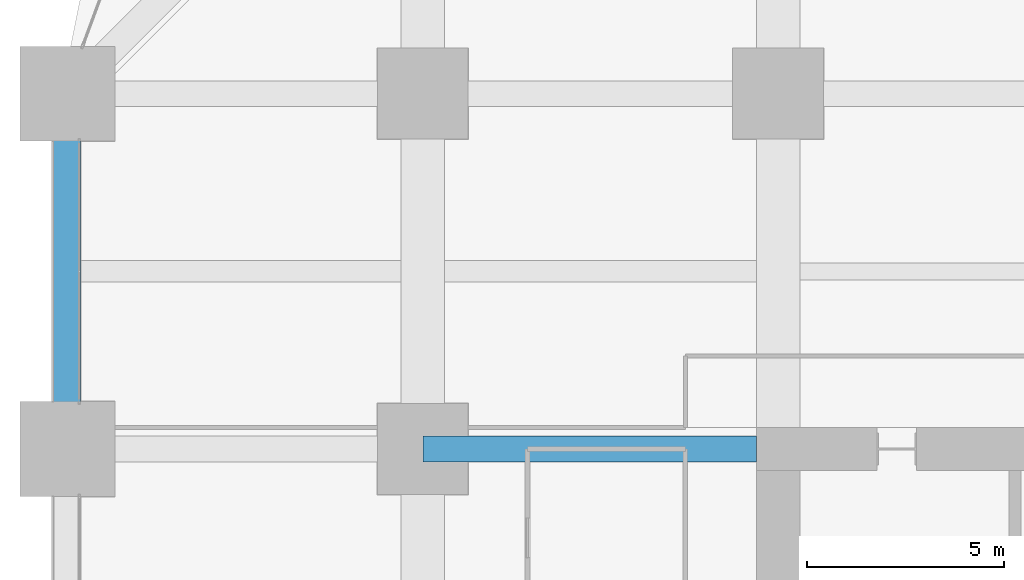
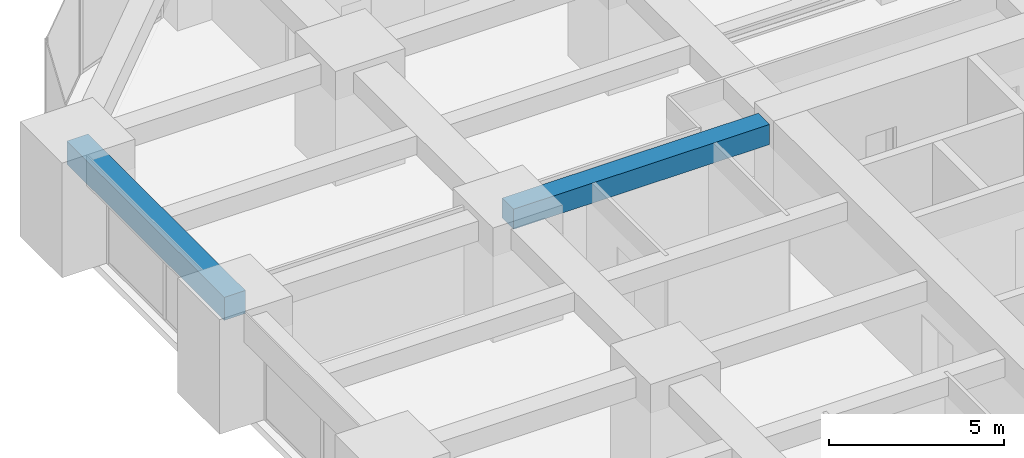
# One storey, part 24 of 45: 2 beams.
"""IFC4 building model written with IfcOpenShell, lengths in metres."""

from ifc_helpers import new_model, si_unit, direction, frame, origin, origin_2d, place, context, subcontext, project, spatial, rectangle, extrude, material, material_profile, profile_set, type_object, element, save


model = new_model("IFC4")

# Units and contexts
model_context = context("Model", 3, precision=1e-05, world=origin(), true_north=direction((0.0, 1.0)))
body_context = subcontext(model_context, "Body", "Model", "MODEL_VIEW")
ifc_project = project(units=[si_unit("LENGTHUNIT", "METRE"), si_unit("AREAUNIT", "SQUARE_METRE"), si_unit("VOLUMEUNIT", "CUBIC_METRE"), si_unit("PLANEANGLEUNIT", "RADIAN"), si_unit("MASSUNIT", "GRAM", prefix="KILO")], contexts=[model_context])

# Site, building, storey
site_placement = place(None, origin())
site = spatial("IfcSite", under=ifc_project, at=site_placement, CompositionType="ELEMENT")
building_placement = place(site_placement, origin())
building = spatial("IfcBuilding", under=site, at=building_placement, Name="Zorevar Civic Tower", CompositionType="ELEMENT")
storey_placement = place(building_placement, frame((0.0, 0.0, 47.800048828125)))
storey = spatial("IfcBuildingStorey", under=building, at=storey_placement, Name="L11", CompositionType="ELEMENT", Elevation=47.800048828125)

# Beams
ifc_material_1 = material(Name="Concrete C50/60", Category="concrete")
ifc_material_profile_1 = material_profile(ifc_material_1, rectangle(XDim=0.64990234375, YDim=0.699951171875, at=origin_2d()), Name="RC 650x700")
ifc_profile_set_1 = profile_set([ifc_material_profile_1], Name="Concrete C50/60")
beam_type_1 = type_object("IfcBeamType", Name="Beam RC 650x700", PredefinedType="BEAM", material=ifc_profile_set_1)
beam_1_placement = place(storey_placement, frame((9.0, 36.0, 3.39990234375), z_axis=(1.0, 0.0, 0.0), x_axis=(0.0, 1.0, 0.0)))
element("IfcBeam", 1, at=beam_1_placement, inside=storey, type_object=beam_type_1, Name="Girder L12", PredefinedType="BEAM", context=body_context, shape_type="SweptSolid", body=[
    extrude(rectangle(XDim=0.64990234375, YDim=0.699951171875, at=origin_2d()), origin(), (0.0, 0.0, 1.0), 8.449951171875),
])
ifc_material_2 = material(Name="Concrete C50/60", Category="concrete")
ifc_material_profile_2 = material_profile(ifc_material_2, rectangle(XDim=0.699951171875, YDim=0.800048828125, at=origin_2d()), Name="RC 700x800")
ifc_profile_set_2 = profile_set([ifc_material_profile_2], Name="Concrete C50/60")
beam_type_2 = type_object("IfcBeamType", Name="Edge beam RC 700x800", PredefinedType="SPANDREL", material=ifc_profile_set_2)
beam_2_placement = place(storey_placement, frame((0.0, 36.0, 3.349853515625), z_axis=(0.0, 1.0, 0.0), x_axis=(-1.0, 0.0, 0.0)))
element("IfcBeam", 2, at=beam_2_placement, inside=storey, type_object=beam_type_2, Name="Edge beam L12", PredefinedType="SPANDREL", context=body_context, shape_type="SweptSolid", body=[
    extrude(rectangle(XDim=0.699951171875, YDim=0.800048828125, at=origin_2d()), origin(), (0.0, 0.0, 1.0), 9.0),
])

save(model, "model.ifc")
